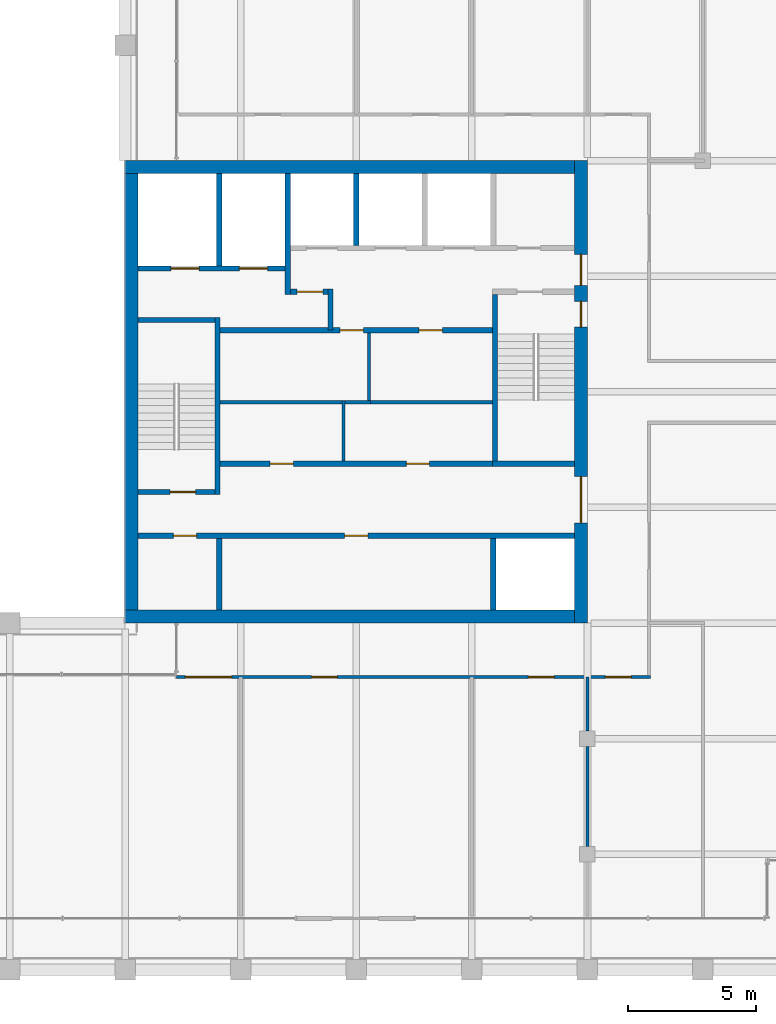
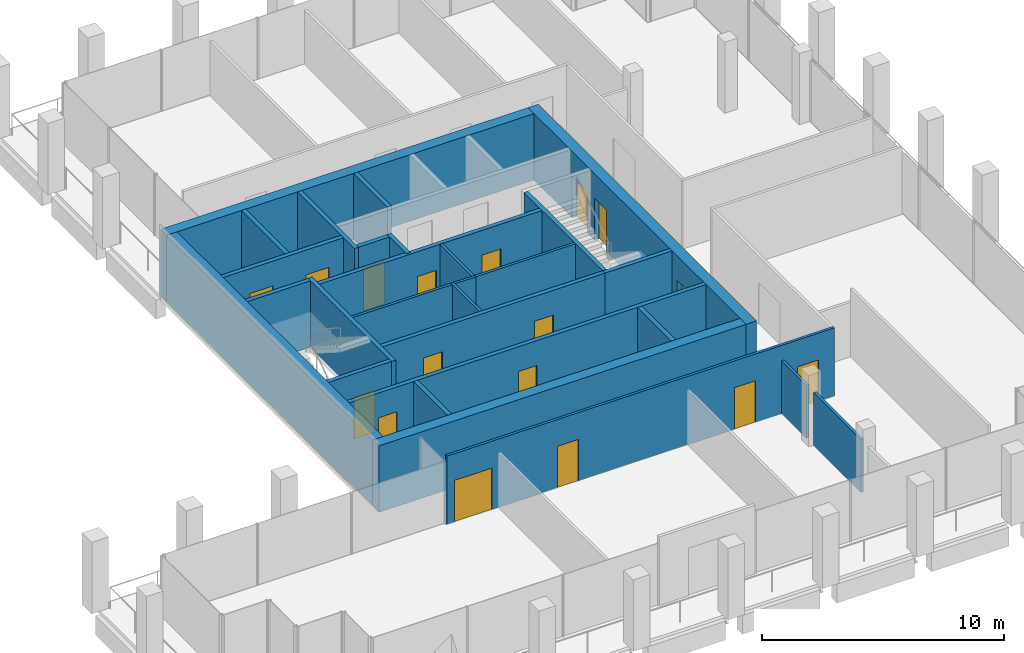
# One storey, part 28 of 30: 28 walls, 17 doors, 17 openings.
"""IFC4 building model written with IfcOpenShell, lengths in metres."""

from ifc_helpers import new_model, si_unit, direction, frame, frame_2d, origin, place, context, subcontext, project, spatial, rectangle, extrude, material, layer, layer_set, type_object, element, fill, save


model = new_model("IFC4")

# Units and contexts
model_context = context("Model", 3, precision=1e-05, world=origin(), true_north=direction((0.0, 1.0)))
body_context = subcontext(model_context, "Body", "Model", "MODEL_VIEW")
ifc_project = project(units=[si_unit("LENGTHUNIT", "METRE"), si_unit("AREAUNIT", "SQUARE_METRE"), si_unit("VOLUMEUNIT", "CUBIC_METRE"), si_unit("PLANEANGLEUNIT", "RADIAN"), si_unit("MASSUNIT", "GRAM", prefix="KILO")], contexts=[model_context])

# Site, building, storey
site_placement = place(None, origin())
site = spatial("IfcSite", under=ifc_project, at=site_placement, CompositionType="ELEMENT")
building_placement = place(site_placement, origin())
building = spatial("IfcBuilding", under=site, at=building_placement, Name="Altepetl Exchange Towers", CompositionType="ELEMENT")
storey_placement = place(building_placement, frame((0.0, 0.0, 224.39990234375)))
storey = spatial("IfcBuildingStorey", under=building, at=storey_placement, Name="L57", CompositionType="ELEMENT", Elevation=224.39990234375)

# Wall, openings, doors
ifc_material_1 = material(Name="Concrete C70/85", Category="concrete")
ifc_layer_1 = layer(ifc_material_1, 0.5)
ifc_layer_set_1 = layer_set([ifc_layer_1], Name="Concrete C70/85")
wall_type_1 = type_object("IfcWallType", Name="Core wall 500 reinforced concrete", PredefinedType="SHEAR", material=ifc_layer_set_1)
wall_1_placement = place(storey_placement, frame((58.25, 40.5, 0.0), z_axis=(0.0, 0.0, 1.0), x_axis=(0.0, 1.0, 0.0)))
wall_1 = element("IfcWall", 1, at=wall_1_placement, inside=storey, type_object=wall_type_1, Name="wall:A:L57:K-coreE", PredefinedType="SHEAR", context=body_context, shape_type="SweptSolid", body=[
    extrude(rectangle(XDim=18.0, YDim=0.5, at=frame_2d((9.0, 0.0))), origin(), (0.0, 0.0, 1.0), 3.35009765625),
])
opening_1_placement = place(wall_1_placement, frame((13.14990234375, 0.0, 0.0)))
opening_1 = element("IfcOpeningElement", 2, at=opening_1_placement, cuts=wall_1, Name="Opening L57.A60", PredefinedType="OPENING", context=body_context, shape_type="SweptSolid", body=[
    extrude(rectangle(XDim=1.199951171875, YDim=2.10009765625, at=frame_2d((0.60009765625, 1.050048828125))), frame((0.0, 0.260009765625, 0.0), z_axis=(0.0, -1.0, 0.0), x_axis=(1.0, 0.0, 0.0)), (0.0, 0.0, 1.0), 0.52001953125),
])
opening_2_placement = place(wall_1_placement, frame((3.89990234375, 0.0, 0.0)))
opening_2 = element("IfcOpeningElement", 3, at=opening_2_placement, cuts=wall_1, Name="Opening L57.A61", PredefinedType="OPENING", context=body_context, shape_type="SweptSolid", body=[
    extrude(rectangle(XDim=1.800048828125, YDim=2.10009765625, at=frame_2d((0.89990234375, 1.050048828125))), frame((0.0, 0.260009765625, 0.0), z_axis=(0.0, -1.0, 0.0), x_axis=(1.0, 0.0, 0.0)), (0.0, 0.0, 1.0), 0.52001953125),
])
opening_3_placement = place(wall_1_placement, frame((11.52490234375, 0.0, 0.0)))
opening_3 = element("IfcOpeningElement", 4, at=opening_3_placement, cuts=wall_1, Name="Opening L57.A64", PredefinedType="OPENING", context=body_context, shape_type="SweptSolid", body=[
    extrude(rectangle(XDim=1.0, YDim=2.10009765625, at=frame_2d((0.5, 1.050048828125))), frame((0.0, 0.260009765625, 0.0), z_axis=(0.0, -1.0, 0.0), x_axis=(1.0, 0.0, 0.0)), (0.0, 0.0, 1.0), 0.52001953125),
])
ifc_material_2 = material(Name="Steel and timber fire door", Category="steel")
door_type_1 = type_object("IfcDoorType", Name="Fire door 1000 x 2100 stair and lobby", OperationType="SINGLE_SWING_LEFT", PredefinedType="DOOR", material=ifc_material_2)
door_1_placement = place(opening_3_placement, origin())
door_1 = element("IfcDoor", 5, at=door_1_placement, inside=storey, type_object=door_type_1, Name="door:A:L57:K-dS2x", OperationType="SINGLE_SWING_RIGHT", OverallHeight=2.10009765625, OverallWidth=1.0, PredefinedType="DOOR", context=body_context, shape_type="SweptSolid", body=[
    extrude(rectangle(XDim=1.0, YDim=2.10009765625, at=frame_2d((0.5, 1.050048828125))), frame((0.0, 0.02490234375, 0.0), z_axis=(0.0, -1.0, 0.0), x_axis=(1.0, 0.0, 0.0)), (0.0, 0.0, 1.0), 0.050048828125),
])
fill(opening_3, door_1)
door_type_2 = type_object("IfcDoorType", Name="Fire door 1200 x 2100 lobby entry", OperationType="SINGLE_SWING_LEFT", PredefinedType="DOOR", material=ifc_material_2)
door_2_placement = place(opening_1_placement, origin())
door_2 = element("IfcDoor", 6, at=door_2_placement, inside=storey, type_object=door_type_2, Name="door:A:L57:K-dLNE", OperationType="SINGLE_SWING_RIGHT", OverallHeight=2.10009765625, OverallWidth=1.199951171875, PredefinedType="DOOR", context=body_context, shape_type="SweptSolid", body=[
    extrude(rectangle(XDim=1.199951171875, YDim=2.10009765625, at=frame_2d((0.60009765625, 1.050048828125))), frame((0.0, 0.02490234375, 0.0), z_axis=(0.0, -1.0, 0.0), x_axis=(1.0, 0.0, 0.0)), (0.0, 0.0, 1.0), 0.050048828125),
])
fill(opening_1, door_2)
door_type_3 = type_object("IfcDoorType", Name="Fire door 1800 x 2100 lobby entry", OperationType="DOUBLE_DOOR_SINGLE_SWING", PredefinedType="DOOR", material=ifc_material_2)
door_3_placement = place(opening_2_placement, origin())
door_3 = element("IfcDoor", 7, at=door_3_placement, inside=storey, type_object=door_type_3, Name="door:A:L57:K-dLSE", OperationType="DOUBLE_DOOR_SINGLE_SWING", OverallHeight=2.10009765625, OverallWidth=1.800048828125, PredefinedType="DOOR", context=body_context, shape_type="SweptSolid", body=[
    extrude(rectangle(XDim=1.800048828125, YDim=2.10009765625, at=frame_2d((0.89990234375, 1.050048828125))), frame((0.0, 0.02490234375, 0.0), z_axis=(0.0, -1.0, 0.0), x_axis=(1.0, 0.0, 0.0)), (0.0, 0.0, 1.0), 0.050048828125),
])
fill(opening_2, door_3)

# Walls
for number, where, name in (
    (8, (40.5, 58.25, 0.0), "wall:A:L57:K-coreN"),
    (9, (40.5, 40.75, 0.0), "wall:A:L57:K-coreS"),
):
    element("IfcWall", number, at=place(storey_placement, frame(where)), inside=storey, type_object=wall_type_1, Name=name, PredefinedType="SHEAR", context=body_context, shape_type="SweptSolid", body=[
        extrude(rectangle(XDim=17.5, YDim=0.5, at=frame_2d((8.75, 0.0))), origin(), (0.0, 0.0, 1.0), 3.35009765625),
    ])
ifc_layer_2 = layer(ifc_material_1, 0.5)
ifc_layer_set_2 = layer_set([ifc_layer_2], Name="Concrete C70/85")
wall_type_2 = type_object("IfcWallType", Name="Core wall 500 reinforced concrete external", PredefinedType="SHEAR", material=ifc_layer_set_2)
wall_2_placement = place(storey_placement, frame((40.75, 41.0, 0.0), z_axis=(0.0, 0.0, 1.0), x_axis=(0.0, 1.0, 0.0)))
element("IfcWall", 10, at=wall_2_placement, inside=storey, type_object=wall_type_2, Name="wall:A:L57:K-coreW", PredefinedType="SHEAR", context=body_context, shape_type="SweptSolid", body=[
    extrude(rectangle(XDim=17.0, YDim=0.5, at=frame_2d((8.5, 0.0))), origin(), (0.0, 0.0, 1.0), 3.35009765625),
])
ifc_material_3 = material(Name="Concrete blockwork", Category="masonry")
ifc_layer_3 = layer(ifc_material_3, 0.199951171875)
ifc_layer_set_3 = layer_set([ifc_layer_3], Name="Concrete blockwork")
wall_type_3 = type_object("IfcWallType", Name="Lobby wall 200 blockwork", PredefinedType="PARTITIONING", material=ifc_layer_set_3)
wall_3_placement = place(storey_placement, frame((48.5, 51.89990234375, 0.0), z_axis=(0.0, 0.0, 1.0), x_axis=(0.0, 1.0, 0.0)))
element("IfcWall", 11, at=wall_3_placement, inside=storey, type_object=wall_type_3, Name="wall:A:L57:K-ffE", PredefinedType="PARTITIONING", context=body_context, shape_type="SweptSolid", body=[
    extrude(rectangle(XDim=1.60009765625, YDim=0.199951171875, at=frame_2d((0.800048828125, 0.0))), origin(), (0.0, 0.0, 1.0), 3.35009765625),
])

# Wall, opening, door
wall_4_placement = place(storey_placement, frame((46.933349609375, 53.39990234375, 0.0)))
wall_4 = element("IfcWall", 12, at=wall_4_placement, inside=storey, type_object=wall_type_3, Name="wall:A:L57:K-ffN", PredefinedType="PARTITIONING", context=body_context, shape_type="SweptSolid", body=[
    extrude(rectangle(XDim=1.466552734375, YDim=0.199951171875, at=frame_2d((0.7333984375, 0.0))), origin(), (0.0, 0.0, 1.0), 3.35009765625),
])
opening_4_placement = place(wall_4_placement, frame((0.2666015625, 0.0, 0.0)))
opening_4 = element("IfcOpeningElement", 13, at=opening_4_placement, cuts=wall_4, Name="Opening L57.A65", PredefinedType="OPENING", context=body_context, shape_type="SweptSolid", body=[
    extrude(rectangle(XDim=1.0, YDim=2.10009765625, at=frame_2d((0.5, 1.050048828125))), frame((0.0, 0.10986328125, 0.0), z_axis=(0.0, -1.0, 0.0), x_axis=(1.0, 0.0, 0.0)), (0.0, 0.0, 1.0), 0.219970703125),
])
door_4_placement = place(opening_4_placement, frame((1.0, 0.0, 0.0), x_axis=(-1.0, 0.0, 0.0)))
door_4 = element("IfcDoor", 14, at=door_4_placement, inside=storey, type_object=door_type_1, Name="door:A:L57:K-dffN", OperationType="SINGLE_SWING_RIGHT", OverallHeight=2.10009765625, OverallWidth=1.0, PredefinedType="DOOR", context=body_context, shape_type="SweptSolid", body=[
    extrude(rectangle(XDim=1.0, YDim=2.10009765625, at=frame_2d((0.5, 1.050048828125))), frame((0.0, 0.02490234375, 0.0), z_axis=(0.0, -1.0, 0.0), x_axis=(1.0, 0.0, 0.0)), (0.0, 0.0, 1.0), 0.050048828125),
])
fill(opening_4, door_4)

# Wall, openings, doors
wall_5_placement = place(storey_placement, frame((44.199951171875, 51.89990234375, 0.0)))
wall_5 = element("IfcWall", 15, at=wall_5_placement, inside=storey, type_object=wall_type_3, Name="wall:A:L57:K-zoneN", PredefinedType="PARTITIONING", context=body_context, shape_type="SweptSolid", body=[
    extrude(rectangle(XDim=10.60009765625, YDim=0.199951171875, at=frame_2d((5.300048828125, 0.0))), origin(), (0.0, 0.0, 1.0), 3.35009765625),
])
opening_5_placement = place(wall_5_placement, frame((4.675048828125, 0.0, 0.0)))
opening_5 = element("IfcOpeningElement", 16, at=opening_5_placement, cuts=wall_5, Name="Opening L57.A71", PredefinedType="OPENING", context=body_context, shape_type="SweptSolid", body=[
    extrude(rectangle(XDim=0.89990234375, YDim=2.10009765625, at=frame_2d((0.449951171875, 1.050048828125))), frame((0.0, 0.10986328125, 0.0), z_axis=(0.0, -1.0, 0.0), x_axis=(1.0, 0.0, 0.0)), (0.0, 0.0, 1.0), 0.219970703125),
])
opening_6_placement = place(wall_5_placement, frame((7.75, 0.0, 0.0)))
opening_6 = element("IfcOpeningElement", 17, at=opening_6_placement, cuts=wall_5, Name="Opening L57.A72", PredefinedType="OPENING", context=body_context, shape_type="SweptSolid", body=[
    extrude(rectangle(XDim=0.89990234375, YDim=2.10009765625, at=frame_2d((0.449951171875, 1.050048828125))), frame((0.0, 0.10986328125, 0.0), z_axis=(0.0, -1.0, 0.0), x_axis=(1.0, 0.0, 0.0)), (0.0, 0.0, 1.0), 0.219970703125),
])
door_type_4 = type_object("IfcDoorType", Name="Fire door 900 x 2100 service room", OperationType="SINGLE_SWING_LEFT", PredefinedType="DOOR", material=ifc_material_2)
door_5_placement = place(opening_5_placement, frame((0.89990234375, 0.0, 0.0), x_axis=(-1.0, 0.0, 0.0)))
door_5 = element("IfcDoor", 18, at=door_5_placement, inside=storey, type_object=door_type_4, Name="door:A:L57:K-dz3", OperationType="SINGLE_SWING_LEFT", OverallHeight=2.10009765625, OverallWidth=0.89990234375, PredefinedType="DOOR", context=body_context, shape_type="SweptSolid", body=[
    extrude(rectangle(XDim=0.89990234375, YDim=2.10009765625, at=frame_2d((0.449951171875, 1.050048828125))), frame((0.0, 0.02490234375, 0.0), z_axis=(0.0, -1.0, 0.0), x_axis=(1.0, 0.0, 0.0)), (0.0, 0.0, 1.0), 0.050048828125),
])
fill(opening_5, door_5)
door_6_placement = place(opening_6_placement, frame((0.89990234375, 0.0, 0.0), x_axis=(-1.0, 0.0, 0.0)))
door_6 = element("IfcDoor", 19, at=door_6_placement, inside=storey, type_object=door_type_4, Name="door:A:L57:K-dz4", OperationType="SINGLE_SWING_LEFT", OverallHeight=2.10009765625, OverallWidth=0.89990234375, PredefinedType="DOOR", context=body_context, shape_type="SweptSolid", body=[
    extrude(rectangle(XDim=0.89990234375, YDim=2.10009765625, at=frame_2d((0.449951171875, 1.050048828125))), frame((0.0, 0.02490234375, 0.0), z_axis=(0.0, -1.0, 0.0), x_axis=(1.0, 0.0, 0.0)), (0.0, 0.0, 1.0), 0.050048828125),
])
fill(opening_6, door_6)

wall_6_placement = place(storey_placement, frame((44.199951171875, 46.699951171875, 0.0)))
wall_6 = element("IfcWall", 20, at=wall_6_placement, inside=storey, type_object=wall_type_3, Name="wall:A:L57:K-zoneS", PredefinedType="PARTITIONING", context=body_context, shape_type="SweptSolid", body=[
    extrude(rectangle(XDim=10.60009765625, YDim=0.199951171875, at=frame_2d((5.300048828125, 0.0))), origin(), (0.0, 0.0, 1.0), 3.35009765625),
])
opening_7_placement = place(wall_6_placement, frame((1.949951171875, 0.0, 0.0)))
opening_7 = element("IfcOpeningElement", 21, at=opening_7_placement, cuts=wall_6, Name="Opening L57.A69", PredefinedType="OPENING", context=body_context, shape_type="SweptSolid", body=[
    extrude(rectangle(XDim=0.89990234375, YDim=2.10009765625, at=frame_2d((0.449951171875, 1.050048828125))), frame((0.0, 0.10986328125, 0.0), z_axis=(0.0, -1.0, 0.0), x_axis=(1.0, 0.0, 0.0)), (0.0, 0.0, 1.0), 0.219970703125),
])
opening_8_placement = place(wall_6_placement, frame((7.25, 0.0, 0.0)))
opening_8 = element("IfcOpeningElement", 22, at=opening_8_placement, cuts=wall_6, Name="Opening L57.A70", PredefinedType="OPENING", context=body_context, shape_type="SweptSolid", body=[
    extrude(rectangle(XDim=0.89990234375, YDim=2.10009765625, at=frame_2d((0.449951171875, 1.050048828125))), frame((0.0, 0.10986328125, 0.0), z_axis=(0.0, -1.0, 0.0), x_axis=(1.0, 0.0, 0.0)), (0.0, 0.0, 1.0), 0.219970703125),
])
door_7_placement = place(opening_7_placement, origin())
door_7 = element("IfcDoor", 23, at=door_7_placement, inside=storey, type_object=door_type_4, Name="door:A:L57:K-dz1", OperationType="SINGLE_SWING_LEFT", OverallHeight=2.10009765625, OverallWidth=0.89990234375, PredefinedType="DOOR", context=body_context, shape_type="SweptSolid", body=[
    extrude(rectangle(XDim=0.89990234375, YDim=2.10009765625, at=frame_2d((0.449951171875, 1.050048828125))), frame((0.0, 0.02490234375, 0.0), z_axis=(0.0, -1.0, 0.0), x_axis=(1.0, 0.0, 0.0)), (0.0, 0.0, 1.0), 0.050048828125),
])
fill(opening_7, door_7)
door_8_placement = place(opening_8_placement, origin())
door_8 = element("IfcDoor", 24, at=door_8_placement, inside=storey, type_object=door_type_4, Name="door:A:L57:K-dz2", OperationType="SINGLE_SWING_LEFT", OverallHeight=2.10009765625, OverallWidth=0.89990234375, PredefinedType="DOOR", context=body_context, shape_type="SweptSolid", body=[
    extrude(rectangle(XDim=0.89990234375, YDim=2.10009765625, at=frame_2d((0.449951171875, 1.050048828125))), frame((0.0, 0.02490234375, 0.0), z_axis=(0.0, -1.0, 0.0), x_axis=(1.0, 0.0, 0.0)), (0.0, 0.0, 1.0), 0.050048828125),
])
fill(opening_8, door_8)

# Walls
ifc_material_4 = material(Name="Gypsum board on steel studs", Category="steel")
ifc_layer_4 = layer(ifc_material_4, 0.125)
ifc_layer_set_4 = layer_set([ifc_layer_4], Name="Gypsum board on steel studs")
wall_type_4 = type_object("IfcWallType", Name="Partition 125 gypsum board on steel studs", PredefinedType="PARTITIONING", material=ifc_layer_set_4)
wall_7_placement = place(storey_placement, frame((49.0, 46.800048828125, 0.0), z_axis=(0.0, 0.0, 1.0), x_axis=(0.0, 1.0, 0.0)))
element("IfcWall", 25, at=wall_7_placement, inside=storey, type_object=wall_type_4, Name="wall:A:L57:K-zp1", PredefinedType="PARTITIONING", context=body_context, shape_type="SweptSolid", body=[
    extrude(rectangle(XDim=2.362548828125, YDim=0.125, at=frame_2d((1.18115234375, 0.0))), origin(), (0.0, 0.0, 1.0), 3.35009765625),
])
wall_8_placement = place(storey_placement, frame((49.0, 49.10009765625, 0.0), z_axis=(0.0, 0.0, 1.0), x_axis=(-1.0, 0.0, 0.0)))
element("IfcWall", 26, at=wall_8_placement, inside=storey, type_object=wall_type_4, Name="wall:A:L57:K-zp2", PredefinedType="PARTITIONING", context=body_context, shape_type="SweptSolid", body=[
    extrude(rectangle(XDim=4.800048828125, YDim=0.125, at=frame_2d((2.39990234375, 0.0))), origin(), (0.0, 0.0, 1.0), 3.35009765625),
])
wall_9_placement = place(storey_placement, frame((50.0625, 49.10009765625, 0.0), z_axis=(0.0, 0.0, 1.0), x_axis=(-1.0, 0.0, 0.0)))
element("IfcWall", 27, at=wall_9_placement, inside=storey, type_object=wall_type_4, Name="wall:A:L57:K-zp3", PredefinedType="PARTITIONING", context=body_context, shape_type="SweptSolid", body=[
    extrude(rectangle(XDim=1.0, YDim=0.125, at=frame_2d((0.5, 0.0))), origin(), (0.0, 0.0, 1.0), 3.35009765625),
])
wall_10_placement = place(storey_placement, frame((54.800048828125, 49.10009765625, 0.0), z_axis=(0.0, 0.0, 1.0), x_axis=(-1.0, 0.0, 0.0)))
element("IfcWall", 28, at=wall_10_placement, inside=storey, type_object=wall_type_4, Name="wall:A:L57:K-zp4", PredefinedType="PARTITIONING", context=body_context, shape_type="SweptSolid", body=[
    extrude(rectangle(XDim=4.800048828125, YDim=0.125, at=frame_2d((2.39990234375, 0.0))), origin(), (0.0, 0.0, 1.0), 3.35009765625),
])
wall_11_placement = place(storey_placement, frame((50.0, 49.16259765625, 0.0), z_axis=(0.0, 0.0, 1.0), x_axis=(0.0, 1.0, 0.0)))
element("IfcWall", 29, at=wall_11_placement, inside=storey, type_object=wall_type_4, Name="wall:A:L57:K-zp5", PredefinedType="PARTITIONING", context=body_context, shape_type="SweptSolid", body=[
    extrude(rectangle(XDim=2.637451171875, YDim=0.125, at=frame_2d((1.31884765625, 0.0))), origin(), (0.0, 0.0, 1.0), 3.35009765625),
])

# Wall, openings, doors
wall_12_placement = place(storey_placement, frame((42.5, 38.39990234375, 0.0)))
wall_12 = element("IfcWall", 30, at=wall_12_placement, inside=storey, type_object=wall_type_4, Name="wall:A:L57:P01", PredefinedType="PARTITIONING", context=body_context, shape_type="SweptSolid", body=[
    extrude(rectangle(XDim=18.46240234375, YDim=0.125, at=frame_2d((9.231201171875, 0.0))), origin(), (0.0, 0.0, 1.0), 3.4501953125),
])
opening_9_placement = place(wall_12_placement, frame((0.35009765625, 0.0, 0.0)))
opening_9 = element("IfcOpeningElement", 31, at=opening_9_placement, cuts=wall_12, Name="Opening L57.A01", PredefinedType="OPENING", context=body_context, shape_type="SweptSolid", body=[
    extrude(rectangle(XDim=1.800048828125, YDim=2.10009765625, at=frame_2d((0.89990234375, 1.050048828125))), frame((0.0, 0.072509765625, 0.0), z_axis=(0.0, -1.0, 0.0), x_axis=(1.0, 0.0, 0.0)), (0.0, 0.0, 1.0), 0.14501953125),
])
opening_10_placement = place(wall_12_placement, frame((5.258056640625, 0.0, 0.0)))
opening_10 = element("IfcOpeningElement", 32, at=opening_10_placement, cuts=wall_12, Name="Opening L57.A02", PredefinedType="OPENING", context=body_context, shape_type="SweptSolid", body=[
    extrude(rectangle(XDim=1.0, YDim=2.10009765625, at=frame_2d((0.5, 1.050048828125))), frame((0.0, 0.072509765625, 0.0), z_axis=(0.0, -1.0, 0.0), x_axis=(1.0, 0.0, 0.0)), (0.0, 0.0, 1.0), 0.14501953125),
])
opening_11_placement = place(wall_12_placement, frame((13.705078125, 0.0, 0.0)))
opening_11 = element("IfcOpeningElement", 33, at=opening_11_placement, cuts=wall_12, Name="Opening L57.A03", PredefinedType="OPENING", context=body_context, shape_type="SweptSolid", body=[
    extrude(rectangle(XDim=1.0, YDim=2.10009765625, at=frame_2d((0.5, 1.050048828125))), frame((0.0, 0.072509765625, 0.0), z_axis=(0.0, -1.0, 0.0), x_axis=(1.0, 0.0, 0.0)), (0.0, 0.0, 1.0), 0.14501953125),
])
opening_12_placement = place(wall_12_placement, frame((16.699951171875, 0.0, 0.0)))
opening_12 = element("IfcOpeningElement", 34, at=opening_12_placement, cuts=wall_12, Name="Opening L57.A04", PredefinedType="OPENING", context=body_context, shape_type="SweptSolid", body=[
    extrude(rectangle(XDim=1.0, YDim=2.10009765625, at=frame_2d((0.5, 1.050048828125))), frame((0.0, 0.072509765625, 0.0), z_axis=(0.0, -1.0, 0.0), x_axis=(1.0, 0.0, 0.0)), (0.0, 0.0, 1.0), 0.14501953125),
])
door_type_5 = type_object("IfcDoorType", Name="Fire door 1000 x 2100 single leaf", OperationType="SINGLE_SWING_LEFT", PredefinedType="DOOR", material=ifc_material_2)
door_9_placement = place(opening_10_placement, frame((1.0, 0.0, 0.0), x_axis=(-1.0, 0.0, 0.0)))
door_9 = element("IfcDoor", 35, at=door_9_placement, inside=storey, type_object=door_type_5, Name="door:A:L57:02", OperationType="SINGLE_SWING_RIGHT", OverallHeight=2.10009765625, OverallWidth=1.0, PredefinedType="DOOR", context=body_context, shape_type="SweptSolid", body=[
    extrude(rectangle(XDim=1.0, YDim=2.10009765625, at=frame_2d((0.5, 1.050048828125))), frame((0.0, 0.02490234375, 0.0), z_axis=(0.0, -1.0, 0.0), x_axis=(1.0, 0.0, 0.0)), (0.0, 0.0, 1.0), 0.050048828125),
])
fill(opening_10, door_9)
door_10_placement = place(opening_11_placement, frame((1.0, 0.0, 0.0), x_axis=(-1.0, 0.0, 0.0)))
door_10 = element("IfcDoor", 36, at=door_10_placement, inside=storey, type_object=door_type_5, Name="door:A:L57:03", OperationType="SINGLE_SWING_LEFT", OverallHeight=2.10009765625, OverallWidth=1.0, PredefinedType="DOOR", context=body_context, shape_type="SweptSolid", body=[
    extrude(rectangle(XDim=1.0, YDim=2.10009765625, at=frame_2d((0.5, 1.050048828125))), frame((0.0, 0.02490234375, 0.0), z_axis=(0.0, -1.0, 0.0), x_axis=(1.0, 0.0, 0.0)), (0.0, 0.0, 1.0), 0.050048828125),
])
fill(opening_11, door_10)
door_11_placement = place(opening_12_placement, frame((1.0, 0.0, 0.0), x_axis=(-1.0, 0.0, 0.0)))
door_11 = element("IfcDoor", 37, at=door_11_placement, inside=storey, type_object=door_type_5, Name="door:A:L57:04", OperationType="SINGLE_SWING_LEFT", OverallHeight=2.10009765625, OverallWidth=1.0, PredefinedType="DOOR", context=body_context, shape_type="SweptSolid", body=[
    extrude(rectangle(XDim=1.0, YDim=2.10009765625, at=frame_2d((0.5, 1.050048828125))), frame((0.0, 0.02490234375, 0.0), z_axis=(0.0, -1.0, 0.0), x_axis=(1.0, 0.0, 0.0)), (0.0, 0.0, 1.0), 0.050048828125),
])
fill(opening_12, door_11)
door_type_6 = type_object("IfcDoorType", Name="Fire door 1800 x 2100 double leaf", OperationType="DOUBLE_DOOR_SINGLE_SWING", PredefinedType="DOOR", material=ifc_material_2)
door_12_placement = place(opening_9_placement, frame((1.800048828125, 0.0, 0.0), x_axis=(-1.0, 0.0, 0.0)))
door_12 = element("IfcDoor", 38, at=door_12_placement, inside=storey, type_object=door_type_6, Name="door:A:L57:01", OperationType="DOUBLE_DOOR_SINGLE_SWING", OverallHeight=2.10009765625, OverallWidth=1.800048828125, PredefinedType="DOOR", context=body_context, shape_type="SweptSolid", body=[
    extrude(rectangle(XDim=1.800048828125, YDim=2.10009765625, at=frame_2d((0.89990234375, 1.050048828125))), frame((0.0, 0.02490234375, 0.0), z_axis=(0.0, -1.0, 0.0), x_axis=(1.0, 0.0, 0.0)), (0.0, 0.0, 1.0), 0.050048828125),
])
fill(opening_9, door_12)

# Walls
wall_13_placement = place(storey_placement, frame((58.5, 31.800048828125, 0.0), z_axis=(0.0, 0.0, 1.0), x_axis=(0.0, 1.0, 0.0)))
element("IfcWall", 39, at=wall_13_placement, inside=storey, type_object=wall_type_4, Name="wall:A:L57:P12", PredefinedType="PARTITIONING", context=body_context, shape_type="SweptSolid", body=[
    extrude(rectangle(XDim=3.89990234375, YDim=0.125, at=frame_2d((1.949951171875, 0.0))), origin(), (0.0, 0.0, 1.0), 2.676025390625),
])
wall_14_placement = place(storey_placement, frame((58.5, 36.300048828125, 0.0), z_axis=(0.0, 0.0, 1.0), x_axis=(0.0, 1.0, 0.0)))
element("IfcWall", 40, at=wall_14_placement, inside=storey, type_object=wall_type_4, Name="wall:A:L57:P13", PredefinedType="PARTITIONING", context=body_context, shape_type="SweptSolid", body=[
    extrude(rectangle(XDim=2.099853515625, YDim=0.125, at=frame_2d((1.0498046875, 0.0))), origin(), (0.0, 0.0, 1.0), 2.676025390625),
])
ifc_material_5 = material(Name="Concrete C40/50", Category="concrete")
ifc_layer_5 = layer(ifc_material_5, 0.199951171875)
ifc_layer_set_5 = layer_set([ifc_layer_5], Name="Concrete C40/50")
wall_type_5 = type_object("IfcWallType", Name="Shaft wall 200 reinforced concrete", PredefinedType="SHEAR", material=ifc_layer_set_5)
wall_15_placement = place(storey_placement, frame((44.166748046875, 58.0, 0.0), z_axis=(0.0, 0.0, 1.0), x_axis=(0.0, -1.0, 0.0)))
element("IfcWall", 41, at=wall_15_placement, inside=storey, type_object=wall_type_5, Name="wall:A:L57:K-divN1", PredefinedType="SHEAR", context=body_context, shape_type="SweptSolid", body=[
    extrude(rectangle(XDim=3.60009765625, YDim=0.199951171875, at=frame_2d((1.800048828125, 0.0))), origin(), (0.0, 0.0, 1.0), 3.35009765625),
])
wall_16_placement = place(storey_placement, frame((46.833251953125, 58.0, 0.0), z_axis=(0.0, 0.0, 1.0), x_axis=(0.0, -1.0, 0.0)))
element("IfcWall", 42, at=wall_16_placement, inside=storey, type_object=wall_type_5, Name="wall:A:L57:K-divN2", PredefinedType="SHEAR", context=body_context, shape_type="SweptSolid", body=[
    extrude(rectangle(XDim=4.699951171875, YDim=0.199951171875, at=frame_2d((2.35009765625, 0.0))), origin(), (0.0, 0.0, 1.0), 3.35009765625),
])
for number, where, z_axis, x_axis, name in (
    (43, (49.5, 58.0, 0.0), (0.0, 0.0, 1.0), (0.0, -1.0, 0.0), "wall:A:L57:K-divN3"),
    (44, (54.833251953125, 41.0, 0.0), (0.0, 0.0, 1.0), (0.0, 1.0, 0.0), "wall:A:L57:K-divS5"),
):
    element("IfcWall", number, at=place(storey_placement, frame(where, z_axis=z_axis, x_axis=x_axis)), inside=storey, type_object=wall_type_5, Name=name, PredefinedType="SHEAR", context=body_context, shape_type="SweptSolid", body=[
        extrude(rectangle(XDim=2.800048828125, YDim=0.199951171875, at=frame_2d((1.39990234375, 0.0))), origin(), (0.0, 0.0, 1.0), 3.35009765625),
    ])

# Wall, openings, doors
wall_17_placement = place(storey_placement, frame((41.0, 54.300048828125, 0.0)))
wall_17 = element("IfcWall", 45, at=wall_17_placement, inside=storey, type_object=wall_type_5, Name="wall:A:L57:K-frontNd", PredefinedType="SHEAR", context=body_context, shape_type="SweptSolid", body=[
    extrude(rectangle(XDim=5.7333984375, YDim=0.199951171875, at=frame_2d((2.86669921875, 0.0))), origin(), (0.0, 0.0, 1.0), 3.35009765625),
])
opening_13_placement = place(wall_17_placement, frame((1.283203125, 0.0, 0.0)))
opening_13 = element("IfcOpeningElement", 46, at=opening_13_placement, cuts=wall_17, Name="Opening L57.A73", PredefinedType="OPENING", context=body_context, shape_type="SweptSolid", body=[
    extrude(rectangle(XDim=1.10009765625, YDim=2.10009765625, at=frame_2d((0.550048828125, 1.050048828125))), frame((0.0, 0.10986328125, 0.0), z_axis=(0.0, -1.0, 0.0), x_axis=(1.0, 0.0, 0.0)), (0.0, 0.0, 1.0), 0.219970703125),
])
opening_14_placement = place(wall_17_placement, frame((3.949951171875, 0.0, 0.0)))
opening_14 = element("IfcOpeningElement", 47, at=opening_14_placement, cuts=wall_17, Name="Opening L57.A74", PredefinedType="OPENING", context=body_context, shape_type="SweptSolid", body=[
    extrude(rectangle(XDim=1.10009765625, YDim=2.10009765625, at=frame_2d((0.550048828125, 1.050048828125))), frame((0.0, 0.10986328125, 0.0), z_axis=(0.0, -1.0, 0.0), x_axis=(1.0, 0.0, 0.0)), (0.0, 0.0, 1.0), 0.219970703125),
])
ifc_material_6 = material(Name="Stainless steel", Category="steel")
door_type_7 = type_object("IfcDoorType", Name="Lift landing door 1100 x 2100", OperationType="SLIDING_TO_LEFT", PredefinedType="DOOR", material=ifc_material_6)
door_13_placement = place(opening_13_placement, origin())
door_13 = element("IfcDoor", 48, at=door_13_placement, inside=storey, type_object=door_type_7, Name="Landing door FFL1", OperationType="SLIDING_TO_LEFT", OverallHeight=2.10009765625, OverallWidth=1.10009765625, PredefinedType="DOOR", context=body_context, shape_type="SweptSolid", body=[
    extrude(rectangle(XDim=1.10009765625, YDim=2.10009765625, at=frame_2d((0.550048828125, 1.050048828125))), frame((0.0, 0.02490234375, 0.0), z_axis=(0.0, -1.0, 0.0), x_axis=(1.0, 0.0, 0.0)), (0.0, 0.0, 1.0), 0.050048828125),
])
fill(opening_13, door_13)
door_14_placement = place(opening_14_placement, origin())
door_14 = element("IfcDoor", 49, at=door_14_placement, inside=storey, type_object=door_type_7, Name="Landing door FFL2", OperationType="SLIDING_TO_LEFT", OverallHeight=2.10009765625, OverallWidth=1.10009765625, PredefinedType="DOOR", context=body_context, shape_type="SweptSolid", body=[
    extrude(rectangle(XDim=1.10009765625, YDim=2.10009765625, at=frame_2d((0.550048828125, 1.050048828125))), frame((0.0, 0.02490234375, 0.0), z_axis=(0.0, -1.0, 0.0), x_axis=(1.0, 0.0, 0.0)), (0.0, 0.0, 1.0), 0.050048828125),
])
fill(opening_14, door_14)

wall_18_placement = place(storey_placement, frame((41.0, 43.89990234375, 0.0)))
wall_18 = element("IfcWall", 50, at=wall_18_placement, inside=storey, type_object=wall_type_5, Name="wall:A:L57:K-frontS", PredefinedType="SHEAR", context=body_context, shape_type="SweptSolid", body=[
    extrude(rectangle(XDim=17.0, YDim=0.199951171875, at=frame_2d((8.5, 0.0))), origin(), (0.0, 0.0, 1.0), 3.35009765625),
])
opening_15_placement = place(wall_18_placement, frame((1.38330078125, 0.0, 0.0)))
opening_15 = element("IfcOpeningElement", 51, at=opening_15_placement, cuts=wall_18, Name="Opening L57.A67", PredefinedType="OPENING", context=body_context, shape_type="SweptSolid", body=[
    extrude(rectangle(XDim=0.89990234375, YDim=2.10009765625, at=frame_2d((0.449951171875, 1.050048828125))), frame((0.0, 0.10986328125, 0.0), z_axis=(0.0, -1.0, 0.0), x_axis=(1.0, 0.0, 0.0)), (0.0, 0.0, 1.0), 0.219970703125),
])
opening_16_placement = place(wall_18_placement, frame((8.050048828125, 0.0, 0.0)))
opening_16 = element("IfcOpeningElement", 52, at=opening_16_placement, cuts=wall_18, Name="Opening L57.A68", PredefinedType="OPENING", context=body_context, shape_type="SweptSolid", body=[
    extrude(rectangle(XDim=0.89990234375, YDim=2.10009765625, at=frame_2d((0.449951171875, 1.050048828125))), frame((0.0, 0.10986328125, 0.0), z_axis=(0.0, -1.0, 0.0), x_axis=(1.0, 0.0, 0.0)), (0.0, 0.0, 1.0), 0.219970703125),
])
door_15_placement = place(opening_15_placement, frame((0.89990234375, 0.0, 0.0), x_axis=(-1.0, 0.0, 0.0)))
door_15 = element("IfcDoor", 53, at=door_15_placement, inside=storey, type_object=door_type_4, Name="door:A:L57:K-dslotS0", OperationType="SINGLE_SWING_LEFT", OverallHeight=2.10009765625, OverallWidth=0.89990234375, PredefinedType="DOOR", context=body_context, shape_type="SweptSolid", body=[
    extrude(rectangle(XDim=0.89990234375, YDim=2.10009765625, at=frame_2d((0.449951171875, 1.050048828125))), frame((0.0, 0.02490234375, 0.0), z_axis=(0.0, -1.0, 0.0), x_axis=(1.0, 0.0, 0.0)), (0.0, 0.0, 1.0), 0.050048828125),
])
fill(opening_15, door_15)
door_16_placement = place(opening_16_placement, frame((0.89990234375, 0.0, 0.0), x_axis=(-1.0, 0.0, 0.0)))
door_16 = element("IfcDoor", 54, at=door_16_placement, inside=storey, type_object=door_type_4, Name="door:A:L57:K-dslotS1", OperationType="SINGLE_SWING_LEFT", OverallHeight=2.10009765625, OverallWidth=0.89990234375, PredefinedType="DOOR", context=body_context, shape_type="SweptSolid", body=[
    extrude(rectangle(XDim=0.89990234375, YDim=2.10009765625, at=frame_2d((0.449951171875, 1.050048828125))), frame((0.0, 0.02490234375, 0.0), z_axis=(0.0, -1.0, 0.0), x_axis=(1.0, 0.0, 0.0)), (0.0, 0.0, 1.0), 0.050048828125),
])
fill(opening_16, door_16)

# Walls
ifc_layer_6 = layer(ifc_material_1, 0.199951171875)
ifc_layer_set_6 = layer_set([ifc_layer_6], Name="Concrete C70/85")
wall_type_6 = type_object("IfcWallType", Name="Shear wall 200 reinforced concrete", PredefinedType="SHEAR", material=ifc_layer_set_6)
wall_19_placement = place(storey_placement, frame((44.166748046875, 41.0, 0.0), z_axis=(0.0, 0.0, 1.0), x_axis=(0.0, 1.0, 0.0)))
element("IfcWall", 55, at=wall_19_placement, inside=storey, type_object=wall_type_6, Name="wall:A:L57:K-divS1", PredefinedType="SHEAR", context=body_context, shape_type="SweptSolid", body=[
    extrude(rectangle(XDim=2.800048828125, YDim=0.199951171875, at=frame_2d((1.39990234375, 0.0))), origin(), (0.0, 0.0, 1.0), 3.35009765625),
])
ifc_layer_7 = layer(ifc_material_5, 0.199951171875)
ifc_layer_set_7 = layer_set([ifc_layer_7], Name="Concrete C40/50")
wall_type_7 = type_object("IfcWallType", Name="Stair wall 200 reinforced concrete", PredefinedType="SHEAR", material=ifc_layer_set_7)
wall_20_placement = place(storey_placement, frame((44.10009765625, 45.5, 0.0), z_axis=(0.0, 0.0, 1.0), x_axis=(0.0, 1.0, 0.0)))
element("IfcWall", 56, at=wall_20_placement, inside=storey, type_object=wall_type_7, Name="wall:A:L57:K-stS1E", PredefinedType="SHEAR", context=body_context, shape_type="SweptSolid", body=[
    extrude(rectangle(XDim=6.89990234375, YDim=0.199951171875, at=frame_2d((3.449951171875, 0.0))), origin(), (0.0, 0.0, 1.0), 3.35009765625),
])
wall_21_placement = place(storey_placement, frame((41.0, 52.300048828125, 0.0)))
element("IfcWall", 57, at=wall_21_placement, inside=storey, type_object=wall_type_7, Name="wall:A:L57:K-stS1N", PredefinedType="SHEAR", context=body_context, shape_type="SweptSolid", body=[
    extrude(rectangle(XDim=3.0, YDim=0.199951171875, at=frame_2d((1.5, 0.0))), origin(), (0.0, 0.0, 1.0), 3.35009765625),
])

# Wall, opening, door
wall_22_placement = place(storey_placement, frame((41.0, 45.60009765625, 0.0)))
wall_22 = element("IfcWall", 58, at=wall_22_placement, inside=storey, type_object=wall_type_7, Name="wall:A:L57:K-stS1S", PredefinedType="SHEAR", context=body_context, shape_type="SweptSolid", body=[
    extrude(rectangle(XDim=3.0, YDim=0.199951171875, at=frame_2d((1.5, 0.0))), origin(), (0.0, 0.0, 1.0), 3.35009765625),
])
opening_17_placement = place(wall_22_placement, frame((1.25, 0.0, 0.0)))
opening_17 = element("IfcOpeningElement", 59, at=opening_17_placement, cuts=wall_22, Name="Opening L57.A62", PredefinedType="OPENING", context=body_context, shape_type="SweptSolid", body=[
    extrude(rectangle(XDim=1.0, YDim=2.10009765625, at=frame_2d((0.5, 1.050048828125))), frame((0.0, 0.10986328125, 0.0), z_axis=(0.0, -1.0, 0.0), x_axis=(1.0, 0.0, 0.0)), (0.0, 0.0, 1.0), 0.219970703125),
])
door_17_placement = place(opening_17_placement, origin())
door_17 = element("IfcDoor", 60, at=door_17_placement, inside=storey, type_object=door_type_1, Name="door:A:L57:K-dS1in", OperationType="SINGLE_SWING_RIGHT", OverallHeight=2.10009765625, OverallWidth=1.0, PredefinedType="DOOR", context=body_context, shape_type="SweptSolid", body=[
    extrude(rectangle(XDim=1.0, YDim=2.10009765625, at=frame_2d((0.5, 1.050048828125))), frame((0.0, 0.02490234375, 0.0), z_axis=(0.0, -1.0, 0.0), x_axis=(1.0, 0.0, 0.0)), (0.0, 0.0, 1.0), 0.050048828125),
])
fill(opening_17, door_17)

# Walls
wall_23_placement = place(storey_placement, frame((54.800048828125, 46.699951171875, 0.0)))
element("IfcWall", 61, at=wall_23_placement, inside=storey, type_object=wall_type_7, Name="wall:A:L57:K-stS2S", PredefinedType="SHEAR", context=body_context, shape_type="SweptSolid", body=[
    extrude(rectangle(XDim=3.199951171875, YDim=0.199951171875, at=frame_2d((1.60009765625, 0.0))), origin(), (0.0, 0.0, 1.0), 3.35009765625),
])
wall_24_placement = place(storey_placement, frame((54.89990234375, 46.800048828125, 0.0), z_axis=(0.0, 0.0, 1.0), x_axis=(0.0, 1.0, 0.0)))
element("IfcWall", 62, at=wall_24_placement, inside=storey, type_object=wall_type_7, Name="wall:A:L57:K-stS2W", PredefinedType="SHEAR", context=body_context, shape_type="SweptSolid", body=[
    extrude(rectangle(XDim=6.5, YDim=0.199951171875, at=frame_2d((3.25, 0.0))), origin(), (0.0, 0.0, 1.0), 3.35009765625),
])

save(model, "model.ifc")
